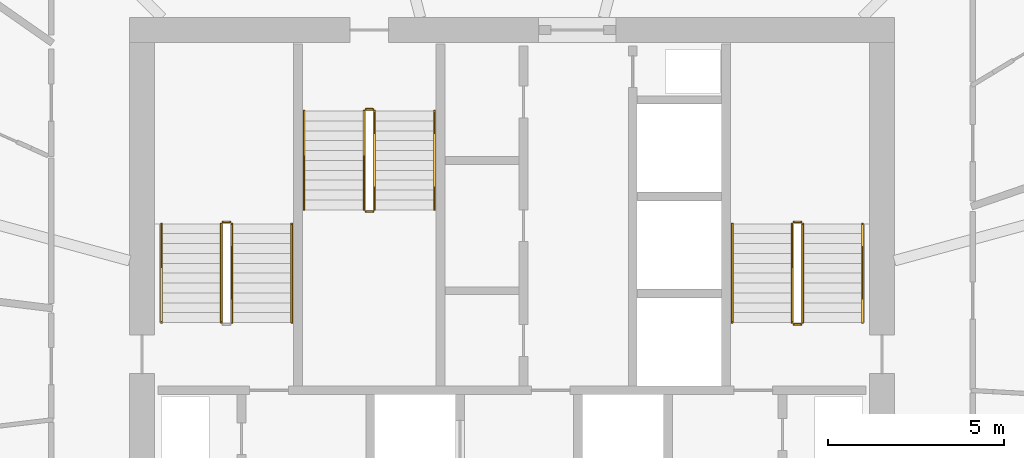
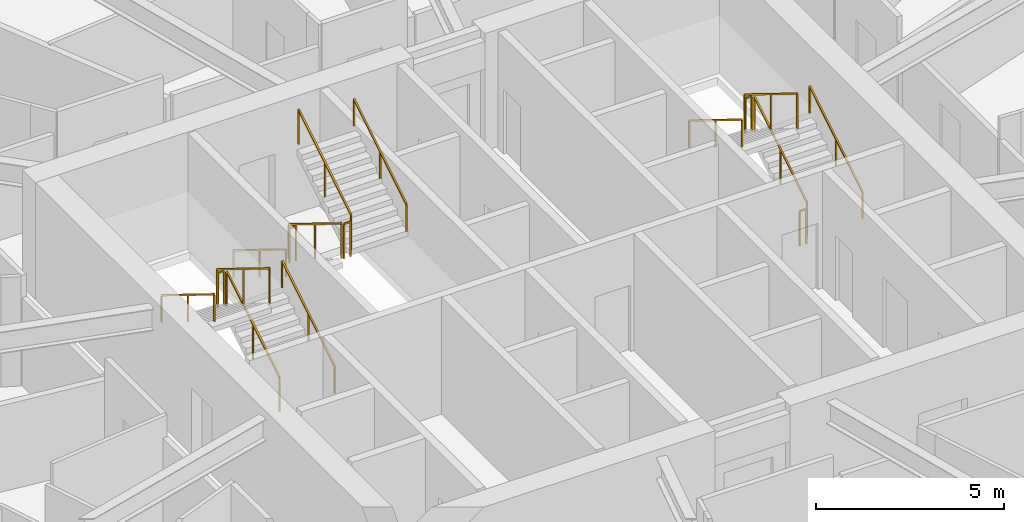
# One storey, part 31 of 32: 17 railings.
"""IFC4 building model written with IfcOpenShell, lengths in metres."""

from ifc_helpers import new_model, si_unit, direction, frame, origin, origin_2d, place, context, subcontext, project, spatial, rectangle, extrude, material, type_object, element, save


model = new_model("IFC4")

# Units and contexts
model_context = context("Model", 3, precision=1e-05, world=origin(), true_north=direction((0.0, 1.0)))
body_context = subcontext(model_context, "Body", "Model", "MODEL_VIEW")
ifc_project = project(units=[si_unit("LENGTHUNIT", "METRE"), si_unit("AREAUNIT", "SQUARE_METRE"), si_unit("VOLUMEUNIT", "CUBIC_METRE"), si_unit("PLANEANGLEUNIT", "RADIAN"), si_unit("MASSUNIT", "GRAM", prefix="KILO")], contexts=[model_context])

# Site, building, storey
site_placement = place(None, origin())
site = spatial("IfcSite", under=ifc_project, at=site_placement, CompositionType="ELEMENT")
building_placement = place(site_placement, origin())
building = spatial("IfcBuilding", under=site, at=building_placement, Name="Zuhravey Tower", CompositionType="ELEMENT")
storey_placement = place(building_placement, frame((0.0, 0.0, 111.39990234375)))
storey = spatial("IfcBuildingStorey", under=building, at=storey_placement, Name="L27", CompositionType="ELEMENT", Elevation=111.39990234375)

# Railings
ifc_material_1 = material(Name="Brushed stainless steel", Category="steel")
railing_type_1 = type_object("IfcRailingType", Name="Stair Wall Handrail 900", PredefinedType="HANDRAIL", material=ifc_material_1)
railing_1_placement = place(storey_placement, frame((29.75, 33.199951171875, 0.1728515625)))
element("IfcRailing", 1, at=railing_1_placement, inside=storey, type_object=railing_type_1, Name="L27 ST1 stair handrail 1", PredefinedType="HANDRAIL", context=body_context, shape_type="SweptSolid", body=[
    extrude(rectangle(XDim=0.048095703125, YDim=0.048095703125, at=origin_2d()), frame((0.0, 0.001708984375, 0.876953125), z_axis=(0.0, 0.851089632645, 0.525020415988), x_axis=(-1.0, 0.0, 0.0)), (0.0, 0.0, 1.0), 3.285888671875),
    extrude(rectangle(XDim=0.0419921875, YDim=0.0419921875, at=origin_2d()), origin(), (0.0, 0.0, 1.0), 0.849853515625),
    extrude(rectangle(XDim=0.0419921875, YDim=0.0419921875, at=origin_2d()), frame((0.0, 1.39990234375, 0.86376953125)), (0.0, 0.0, 1.0), 0.849853515625),
    extrude(rectangle(XDim=0.0419921875, YDim=0.0419921875, at=origin_2d()), frame((0.0, 2.800048828125, 1.727294921875)), (0.0, 0.0, 1.0), 0.849853515625),
])
railing_2_placement = place(storey_placement, frame((26.050048828125, 36.0, 2.07275390625)))
element("IfcRailing", 2, at=railing_2_placement, inside=storey, type_object=railing_type_1, Name="L27 ST1 stair handrail 2", PredefinedType="HANDRAIL", context=body_context, shape_type="SweptSolid", body=[
    extrude(rectangle(XDim=0.048095703125, YDim=0.048095703125, at=origin_2d()), frame((0.0, -0.001708984375, 0.876953125), z_axis=(0.0, -0.851089632645, 0.525020415988), x_axis=(1.0, 0.0, 0.0)), (0.0, 0.0, 1.0), 3.285888671875),
    extrude(rectangle(XDim=0.0419921875, YDim=0.0419921875, at=origin_2d()), origin(), (0.0, 0.0, 1.0), 0.849853515625),
    extrude(rectangle(XDim=0.0419921875, YDim=0.0419921875, at=origin_2d()), frame((0.0, -1.39990234375, 0.86376953125)), (0.0, 0.0, 1.0), 0.849853515625),
    extrude(rectangle(XDim=0.0419921875, YDim=0.0419921875, at=origin_2d()), frame((0.0, -2.800048828125, 1.727294921875)), (0.0, 0.0, 1.0), 0.849853515625),
])
railing_3_placement = place(storey_placement, frame((45.949951171875, 33.199951171875, 0.1728515625)))
element("IfcRailing", 3, at=railing_3_placement, inside=storey, type_object=railing_type_1, Name="L27 ST2 stair handrail 1", PredefinedType="HANDRAIL", context=body_context, shape_type="SweptSolid", body=[
    extrude(rectangle(XDim=0.048095703125, YDim=0.048095703125, at=origin_2d()), frame((0.0, 0.001708984375, 0.876953125), z_axis=(0.0, 0.851089632645, 0.525020415988), x_axis=(-1.0, 0.0, 0.0)), (0.0, 0.0, 1.0), 3.285888671875),
    extrude(rectangle(XDim=0.0419921875, YDim=0.0419921875, at=origin_2d()), origin(), (0.0, 0.0, 1.0), 0.849853515625),
    extrude(rectangle(XDim=0.0419921875, YDim=0.0419921875, at=origin_2d()), frame((0.0, 1.39990234375, 0.86376953125)), (0.0, 0.0, 1.0), 0.849853515625),
    extrude(rectangle(XDim=0.0419921875, YDim=0.0419921875, at=origin_2d()), frame((0.0, 2.800048828125, 1.727294921875)), (0.0, 0.0, 1.0), 0.849853515625),
])
for number, where, name in (
    (4, (42.25, 36.0, 2.07275390625), "L27 ST2 stair handrail 2"),
    (5, (30.10009765625, 39.199951171875, 0.1728515625), "L27 ST3 stair handrail 1"),
):
    element("IfcRailing", number, at=place(storey_placement, frame(where)), inside=storey, type_object=railing_type_1, Name=name, PredefinedType="HANDRAIL", context=body_context, shape_type="SweptSolid", body=[
        extrude(rectangle(XDim=0.048095703125, YDim=0.048095703125, at=origin_2d()), frame((0.0, -0.001708984375, 0.876953125), z_axis=(0.0, -0.851089632645, 0.525020415988), x_axis=(1.0, 0.0, 0.0)), (0.0, 0.0, 1.0), 3.285888671875),
        extrude(rectangle(XDim=0.0419921875, YDim=0.0419921875, at=origin_2d()), origin(), (0.0, 0.0, 1.0), 0.849853515625),
        extrude(rectangle(XDim=0.0419921875, YDim=0.0419921875, at=origin_2d()), frame((0.0, -1.39990234375, 0.86376953125)), (0.0, 0.0, 1.0), 0.849853515625),
        extrude(rectangle(XDim=0.0419921875, YDim=0.0419921875, at=origin_2d()), frame((0.0, -2.800048828125, 1.727294921875)), (0.0, 0.0, 1.0), 0.849853515625),
    ])
railing_4_placement = place(storey_placement, frame((33.800048828125, 36.39990234375, 2.07275390625)))
element("IfcRailing", 6, at=railing_4_placement, inside=storey, type_object=railing_type_1, Name="L27 ST3 stair handrail 2", PredefinedType="HANDRAIL", context=body_context, shape_type="SweptSolid", body=[
    extrude(rectangle(XDim=0.048095703125, YDim=0.048095703125, at=origin_2d()), frame((0.0, 0.001708984375, 0.876953125), z_axis=(0.0, 0.851089632645, 0.525020415988), x_axis=(-1.0, 0.0, 0.0)), (0.0, 0.0, 1.0), 3.285888671875),
    extrude(rectangle(XDim=0.0419921875, YDim=0.0419921875, at=origin_2d()), origin(), (0.0, 0.0, 1.0), 0.849853515625),
    extrude(rectangle(XDim=0.0419921875, YDim=0.0419921875, at=origin_2d()), frame((0.0, 1.39990234375, 0.86376953125)), (0.0, 0.0, 1.0), 0.849853515625),
    extrude(rectangle(XDim=0.0419921875, YDim=0.0419921875, at=origin_2d()), frame((0.0, 2.800048828125, 1.727294921875)), (0.0, 0.0, 1.0), 0.849853515625),
])
ifc_material_2 = material(Name="Painted tubular steel", Category="steel")
railing_type_2 = type_object("IfcRailingType", Name="Stair Well Guardrail 1150", PredefinedType="GUARDRAIL", material=ifc_material_2)
railing_5_placement = place(storey_placement, frame((28.050048828125, 33.199951171875, 0.1728515625)))
element("IfcRailing", 7, at=railing_5_placement, inside=storey, type_object=railing_type_2, Name="L27 ST1 stair guard 1", PredefinedType="GUARDRAIL", context=body_context, shape_type="SweptSolid", body=[
    extrude(rectangle(XDim=0.048095703125, YDim=0.048095703125, at=origin_2d()), frame((0.0, 0.001708984375, 1.126953125), z_axis=(0.0, 0.851089632645, 0.525020415988), x_axis=(-1.0, 0.0, 0.0)), (0.0, 0.0, 1.0), 3.285888671875),
    extrude(rectangle(XDim=0.0419921875, YDim=0.0419921875, at=origin_2d()), origin(), (0.0, 0.0, 1.0), 1.099853515625),
    extrude(rectangle(XDim=0.0419921875, YDim=0.0419921875, at=origin_2d()), frame((0.0, 1.39990234375, 0.86376953125)), (0.0, 0.0, 1.0), 1.099853515625),
    extrude(rectangle(XDim=0.0419921875, YDim=0.0419921875, at=origin_2d()), frame((0.0, 2.800048828125, 1.727294921875)), (0.0, 0.0, 1.0), 1.099853515625),
])
railing_6_placement = place(storey_placement, frame((28.0, 36.050048828125, 1.900146484375)))
element("IfcRailing", 8, at=railing_6_placement, inside=storey, type_object=railing_type_2, Name="L27 ST1 stair guard 2", PredefinedType="GUARDRAIL", context=body_context, shape_type="SweptSolid", body=[
    extrude(rectangle(XDim=0.048095703125, YDim=0.048095703125, at=origin_2d()), frame((-0.001953125, 0.0, 1.1259765625), z_axis=(-1.0, 0.0, 0.0), x_axis=(0.0, -1.0, 0.0)), (0.0, 0.0, 1.0), 0.196044921875),
    extrude(rectangle(XDim=0.0419921875, YDim=0.0419921875, at=origin_2d()), origin(), (0.0, 0.0, 1.0), 1.099853515625),
    extrude(rectangle(XDim=0.0419921875, YDim=0.0419921875, at=origin_2d()), frame((-0.199951171875, 0.0, 0.0)), (0.0, 0.0, 1.0), 1.099853515625),
])
railing_7_placement = place(storey_placement, frame((27.75, 36.0, 2.07275390625)))
element("IfcRailing", 9, at=railing_7_placement, inside=storey, type_object=railing_type_2, Name="L27 ST1 stair guard 3", PredefinedType="GUARDRAIL", context=body_context, shape_type="SweptSolid", body=[
    extrude(rectangle(XDim=0.048095703125, YDim=0.048095703125, at=origin_2d()), frame((0.0, -0.001708984375, 1.126953125), z_axis=(0.0, -0.851089632645, 0.525020415988), x_axis=(1.0, 0.0, 0.0)), (0.0, 0.0, 1.0), 3.285888671875),
    extrude(rectangle(XDim=0.0419921875, YDim=0.0419921875, at=origin_2d()), origin(), (0.0, 0.0, 1.0), 1.099853515625),
    extrude(rectangle(XDim=0.0419921875, YDim=0.0419921875, at=origin_2d()), frame((0.0, -1.39990234375, 0.86376953125)), (0.0, 0.0, 1.0), 1.099853515625),
    extrude(rectangle(XDim=0.0419921875, YDim=0.0419921875, at=origin_2d()), frame((0.0, -2.800048828125, 1.727294921875)), (0.0, 0.0, 1.0), 1.099853515625),
])
railing_8_placement = place(storey_placement, frame((44.25, 33.199951171875, 0.1728515625)))
element("IfcRailing", 10, at=railing_8_placement, inside=storey, type_object=railing_type_2, Name="L27 ST2 stair guard 1", PredefinedType="GUARDRAIL", context=body_context, shape_type="SweptSolid", body=[
    extrude(rectangle(XDim=0.048095703125, YDim=0.048095703125, at=origin_2d()), frame((0.0, 0.001708984375, 1.126953125), z_axis=(0.0, 0.851089632645, 0.525020415988), x_axis=(-1.0, 0.0, 0.0)), (0.0, 0.0, 1.0), 3.285888671875),
    extrude(rectangle(XDim=0.0419921875, YDim=0.0419921875, at=origin_2d()), origin(), (0.0, 0.0, 1.0), 1.099853515625),
    extrude(rectangle(XDim=0.0419921875, YDim=0.0419921875, at=origin_2d()), frame((0.0, 1.39990234375, 0.86376953125)), (0.0, 0.0, 1.0), 1.099853515625),
    extrude(rectangle(XDim=0.0419921875, YDim=0.0419921875, at=origin_2d()), frame((0.0, 2.800048828125, 1.727294921875)), (0.0, 0.0, 1.0), 1.099853515625),
])
railing_9_placement = place(storey_placement, frame((44.199951171875, 36.050048828125, 1.900146484375)))
element("IfcRailing", 11, at=railing_9_placement, inside=storey, type_object=railing_type_2, Name="L27 ST2 stair guard 2", PredefinedType="GUARDRAIL", context=body_context, shape_type="SweptSolid", body=[
    extrude(rectangle(XDim=0.048095703125, YDim=0.048095703125, at=origin_2d()), frame((-0.001953125, 0.0, 1.1259765625), z_axis=(-1.0, 0.0, 0.0), x_axis=(0.0, -1.0, 0.0)), (0.0, 0.0, 1.0), 0.196044921875),
    extrude(rectangle(XDim=0.0419921875, YDim=0.0419921875, at=origin_2d()), origin(), (0.0, 0.0, 1.0), 1.099853515625),
    extrude(rectangle(XDim=0.0419921875, YDim=0.0419921875, at=origin_2d()), frame((-0.199951171875, 0.0, 0.0)), (0.0, 0.0, 1.0), 1.099853515625),
])
railing_10_placement = place(storey_placement, frame((43.949951171875, 36.0, 2.07275390625)))
element("IfcRailing", 12, at=railing_10_placement, inside=storey, type_object=railing_type_2, Name="L27 ST2 stair guard 3", PredefinedType="GUARDRAIL", context=body_context, shape_type="SweptSolid", body=[
    extrude(rectangle(XDim=0.048095703125, YDim=0.048095703125, at=origin_2d()), frame((0.0, -0.001708984375, 1.126953125), z_axis=(0.0, -0.851089632645, 0.525020415988), x_axis=(1.0, 0.0, 0.0)), (0.0, 0.0, 1.0), 3.285888671875),
    extrude(rectangle(XDim=0.0419921875, YDim=0.0419921875, at=origin_2d()), origin(), (0.0, 0.0, 1.0), 1.099853515625),
    extrude(rectangle(XDim=0.0419921875, YDim=0.0419921875, at=origin_2d()), frame((0.0, -1.39990234375, 0.86376953125)), (0.0, 0.0, 1.0), 1.099853515625),
    extrude(rectangle(XDim=0.0419921875, YDim=0.0419921875, at=origin_2d()), frame((0.0, -2.800048828125, 1.727294921875)), (0.0, 0.0, 1.0), 1.099853515625),
])
railing_11_placement = place(storey_placement, frame((44.199951171875, 33.14990234375, 0.0)))
element("IfcRailing", 13, at=railing_11_placement, inside=storey, type_object=railing_type_2, Name="L27 ST2 stair guard 4", PredefinedType="GUARDRAIL", context=body_context, shape_type="SweptSolid", body=[
    extrude(rectangle(XDim=0.048095703125, YDim=0.048095703125, at=origin_2d()), frame((-0.001953125, 0.0, 1.1259765625), z_axis=(-1.0, 0.0, 0.0), x_axis=(0.0, -1.0, 0.0)), (0.0, 0.0, 1.0), 0.196044921875),
    extrude(rectangle(XDim=0.0419921875, YDim=0.0419921875, at=origin_2d()), origin(), (0.0, 0.0, 1.0), 1.099853515625),
    extrude(rectangle(XDim=0.0419921875, YDim=0.0419921875, at=origin_2d()), frame((-0.199951171875, 0.0, 0.0)), (0.0, 0.0, 1.0), 1.099853515625),
])
railing_12_placement = place(storey_placement, frame((31.800048828125, 39.199951171875, 0.1728515625)))
element("IfcRailing", 14, at=railing_12_placement, inside=storey, type_object=railing_type_2, Name="L27 ST3 stair guard 1", PredefinedType="GUARDRAIL", context=body_context, shape_type="SweptSolid", body=[
    extrude(rectangle(XDim=0.048095703125, YDim=0.048095703125, at=origin_2d()), frame((0.0, -0.001708984375, 1.126953125), z_axis=(0.0, -0.851089632645, 0.525020415988), x_axis=(1.0, 0.0, 0.0)), (0.0, 0.0, 1.0), 3.285888671875),
    extrude(rectangle(XDim=0.0419921875, YDim=0.0419921875, at=origin_2d()), origin(), (0.0, 0.0, 1.0), 1.099853515625),
    extrude(rectangle(XDim=0.0419921875, YDim=0.0419921875, at=origin_2d()), frame((0.0, -1.39990234375, 0.86376953125)), (0.0, 0.0, 1.0), 1.099853515625),
    extrude(rectangle(XDim=0.0419921875, YDim=0.0419921875, at=origin_2d()), frame((0.0, -2.800048828125, 1.727294921875)), (0.0, 0.0, 1.0), 1.099853515625),
])
railing_13_placement = place(storey_placement, frame((31.85009765625, 36.35009765625, 1.900146484375)))
element("IfcRailing", 15, at=railing_13_placement, inside=storey, type_object=railing_type_2, Name="L27 ST3 stair guard 2", PredefinedType="GUARDRAIL", context=body_context, shape_type="SweptSolid", body=[
    extrude(rectangle(XDim=0.048095703125, YDim=0.048095703125, at=origin_2d()), frame((0.001953125, 0.0, 1.1259765625), z_axis=(1.0, 0.0, 0.0), x_axis=(0.0, 1.0, 0.0)), (0.0, 0.0, 1.0), 0.196044921875),
    extrude(rectangle(XDim=0.0419921875, YDim=0.0419921875, at=origin_2d()), origin(), (0.0, 0.0, 1.0), 1.099853515625),
    extrude(rectangle(XDim=0.0419921875, YDim=0.0419921875, at=origin_2d()), frame((0.199951171875, 0.0, 0.0)), (0.0, 0.0, 1.0), 1.099853515625),
])
railing_14_placement = place(storey_placement, frame((32.10009765625, 36.39990234375, 2.07275390625)))
element("IfcRailing", 16, at=railing_14_placement, inside=storey, type_object=railing_type_2, Name="L27 ST3 stair guard 3", PredefinedType="GUARDRAIL", context=body_context, shape_type="SweptSolid", body=[
    extrude(rectangle(XDim=0.048095703125, YDim=0.048095703125, at=origin_2d()), frame((0.0, 0.001708984375, 1.126953125), z_axis=(0.0, 0.851089632645, 0.525020415988), x_axis=(-1.0, 0.0, 0.0)), (0.0, 0.0, 1.0), 3.285888671875),
    extrude(rectangle(XDim=0.0419921875, YDim=0.0419921875, at=origin_2d()), origin(), (0.0, 0.0, 1.0), 1.099853515625),
    extrude(rectangle(XDim=0.0419921875, YDim=0.0419921875, at=origin_2d()), frame((0.0, 1.39990234375, 0.86376953125)), (0.0, 0.0, 1.0), 1.099853515625),
    extrude(rectangle(XDim=0.0419921875, YDim=0.0419921875, at=origin_2d()), frame((0.0, 2.800048828125, 1.727294921875)), (0.0, 0.0, 1.0), 1.099853515625),
])
railing_15_placement = place(storey_placement, frame((31.85009765625, 39.25, 0.0)))
element("IfcRailing", 17, at=railing_15_placement, inside=storey, type_object=railing_type_2, Name="L27 ST3 stair guard 4", PredefinedType="GUARDRAIL", context=body_context, shape_type="SweptSolid", body=[
    extrude(rectangle(XDim=0.048095703125, YDim=0.048095703125, at=origin_2d()), frame((0.001953125, 0.0, 1.1259765625), z_axis=(1.0, 0.0, 0.0), x_axis=(0.0, 1.0, 0.0)), (0.0, 0.0, 1.0), 0.196044921875),
    extrude(rectangle(XDim=0.0419921875, YDim=0.0419921875, at=origin_2d()), origin(), (0.0, 0.0, 1.0), 1.099853515625),
    extrude(rectangle(XDim=0.0419921875, YDim=0.0419921875, at=origin_2d()), frame((0.199951171875, 0.0, 0.0)), (0.0, 0.0, 1.0), 1.099853515625),
])

save(model, "model.ifc")
